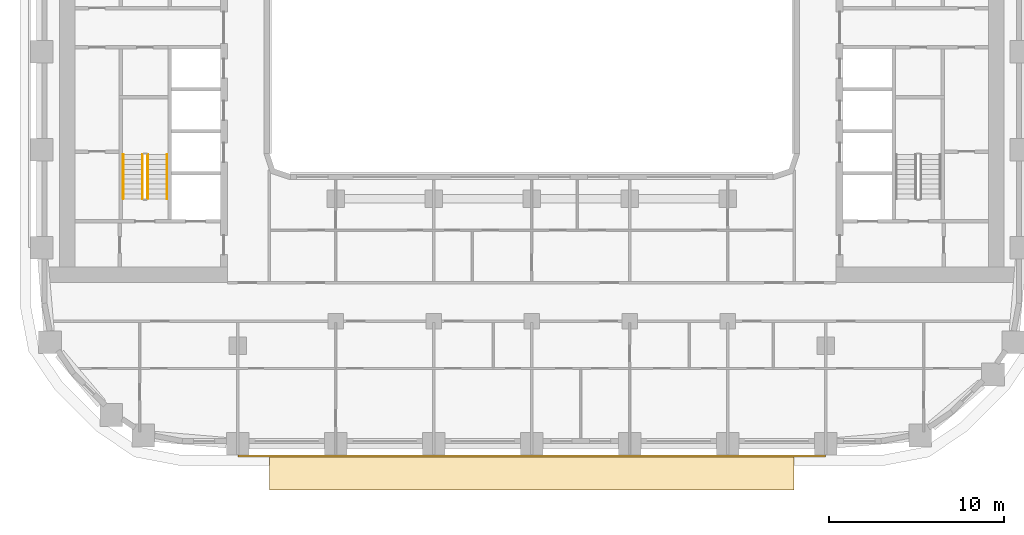
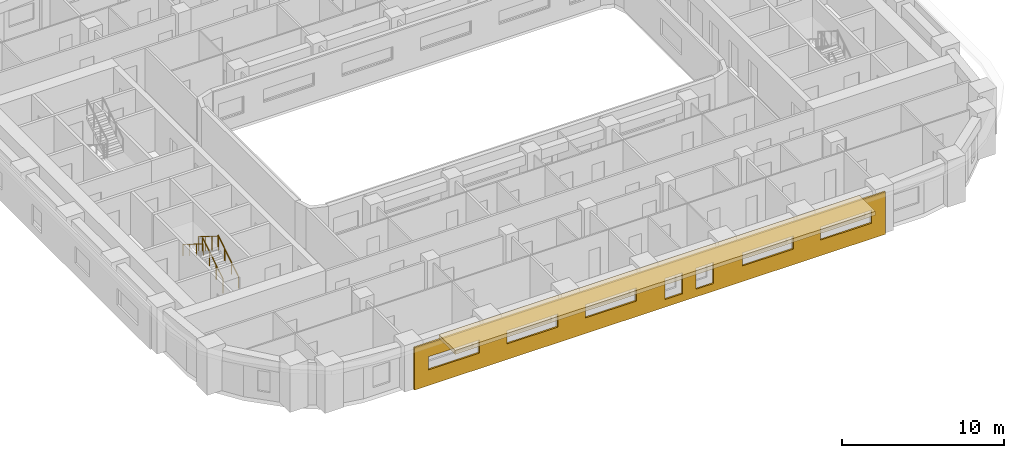
# One storey, part 12 of 21: 4 railings, 2 coverings.
"""IFC4 building model written with IfcOpenShell, lengths in metres."""

from ifc_helpers import new_model, si_unit, direction, frame, origin, origin_2d, place, context, subcontext, project, spatial, polyline, circle, outline, extrude, material, layer, layer_set, type_object, element, save


model = new_model("IFC4")

# Units and contexts
model_context = context("Model", 3, precision=1e-05, world=origin(), true_north=direction((0.0, 1.0)))
body_context = subcontext(model_context, "Body", "Model", "MODEL_VIEW")
ifc_project = project(units=[si_unit("LENGTHUNIT", "METRE"), si_unit("AREAUNIT", "SQUARE_METRE"), si_unit("VOLUMEUNIT", "CUBIC_METRE"), si_unit("PLANEANGLEUNIT", "RADIAN"), si_unit("MASSUNIT", "GRAM", prefix="KILO")], contexts=[model_context])

# Site, building, storey
site_placement = place(None, origin())
site = spatial("IfcSite", under=ifc_project, at=site_placement, CompositionType="ELEMENT")
building_placement = place(site_placement, origin())
building = spatial("IfcBuilding", under=site, at=building_placement, Name="Kiln Ring Residences", CompositionType="ELEMENT")
storey_placement = place(building_placement, frame((0.0, 0.0, 100.800048828125)))
storey = spatial("IfcBuildingStorey", under=building, at=storey_placement, Name="L25", CompositionType="ELEMENT", Elevation=100.800048828125)

# Railings
ifc_material_1 = material(Name="Stainless steel", Category="steel")
railing_type_1 = type_object("IfcRailingType", Name="CORE-STAIR-GUARD", PredefinedType="GUARDRAIL", material=ifc_material_1)
railing_1_placement = place(storey_placement, frame((-21.949951171875, -8.39990234375, 0.175048828125)))
element("IfcRailing", 1, at=railing_1_placement, inside=storey, type_object=railing_type_1, Name="L25 W-STS stair guard 1", PredefinedType="GUARDRAIL", context=body_context, shape_type="SweptSolid", body=[
    extrude(circle(Radius=0.02392578125, at=origin_2d()), frame((0.0, 0.0, 1.076171875), z_axis=(0.0, 0.848007534815, 0.529984170421), x_axis=(-1.0, 0.0, 0.0)), (0.0, 0.0, 1.0), 2.9716796875),
    extrude(circle(Radius=0.02099609375, at=origin_2d()), origin(), (0.0, 0.0, 1.0), 1.052001953125),
    extrude(circle(Radius=0.02099609375, at=origin_2d()), frame((0.0, 0.840087890625, 0.52490234375)), (0.0, 0.0, 1.0), 1.052001953125),
    extrude(circle(Radius=0.02099609375, at=origin_2d()), frame((0.0, 1.679931640625, 1.050048828125)), (0.0, 0.0, 1.0), 1.052001953125),
    extrude(circle(Radius=0.02099609375, at=origin_2d()), frame((0.0, 2.52001953125, 1.574951171875)), (0.0, 0.0, 1.0), 1.052001953125),
])
railing_2_placement = place(storey_placement, frame((-22.25, -5.8798828125, 1.925048828125)))
element("IfcRailing", 2, at=railing_2_placement, inside=storey, type_object=railing_type_1, Name="L25 W-STS stair guard 3", PredefinedType="GUARDRAIL", context=body_context, shape_type="SweptSolid", body=[
    extrude(circle(Radius=0.02392578125, at=origin_2d()), frame((0.0, 0.0, 1.076171875), z_axis=(0.0, -0.848007534815, 0.529984170421), x_axis=(1.0, 0.0, 0.0)), (0.0, 0.0, 1.0), 2.9716796875),
    extrude(circle(Radius=0.02099609375, at=origin_2d()), origin(), (0.0, 0.0, 1.0), 1.052001953125),
    extrude(circle(Radius=0.02099609375, at=origin_2d()), frame((0.0, -0.840087890625, 0.52490234375)), (0.0, 0.0, 1.0), 1.052001953125),
    extrude(circle(Radius=0.02099609375, at=origin_2d()), frame((0.0, -1.679931640625, 1.050048828125)), (0.0, 0.0, 1.0), 1.052001953125),
    extrude(circle(Radius=0.02099609375, at=origin_2d()), frame((0.0, -2.52001953125, 1.574951171875)), (0.0, 0.0, 1.0), 1.052001953125),
])
ifc_material_2 = material(Name="Stainless steel", Category="steel")
railing_type_2 = type_object("IfcRailingType", Name="CORE-STAIR-HANDRAIL", PredefinedType="HANDRAIL", material=ifc_material_2)
railing_3_placement = place(storey_placement, frame((-20.85009765625, -8.39990234375, 0.175048828125)))
element("IfcRailing", 3, at=railing_3_placement, inside=storey, type_object=railing_type_2, Name="L25 W-STS stair handrail 1", PredefinedType="HANDRAIL", context=body_context, shape_type="SweptSolid", body=[
    extrude(circle(Radius=0.02392578125, at=origin_2d()), frame((0.0, 0.0, 0.8759765625), z_axis=(0.0, 0.848007534815, 0.529984170421), x_axis=(-1.0, 0.0, 0.0)), (0.0, 0.0, 1.0), 2.9716796875),
    extrude(circle(Radius=0.02099609375, at=origin_2d()), origin(), (0.0, 0.0, 1.0), 0.851806640625),
    extrude(circle(Radius=0.02099609375, at=origin_2d()), frame((0.0, 0.840087890625, 0.52490234375)), (0.0, 0.0, 1.0), 0.851806640625),
    extrude(circle(Radius=0.02099609375, at=origin_2d()), frame((0.0, 1.679931640625, 1.050048828125)), (0.0, 0.0, 1.0), 0.851806640625),
    extrude(circle(Radius=0.02099609375, at=origin_2d()), frame((0.0, 2.52001953125, 1.574951171875)), (0.0, 0.0, 1.0), 0.851806640625),
])
railing_4_placement = place(storey_placement, frame((-23.35009765625, -5.8798828125, 1.925048828125)))
element("IfcRailing", 4, at=railing_4_placement, inside=storey, type_object=railing_type_2, Name="L25 W-STS stair handrail 2", PredefinedType="HANDRAIL", context=body_context, shape_type="SweptSolid", body=[
    extrude(circle(Radius=0.02392578125, at=origin_2d()), frame((0.0, 0.0, 0.8759765625), z_axis=(0.0, -0.848007534815, 0.529984170421), x_axis=(1.0, 0.0, 0.0)), (0.0, 0.0, 1.0), 2.9716796875),
    extrude(circle(Radius=0.02099609375, at=origin_2d()), origin(), (0.0, 0.0, 1.0), 0.851806640625),
    extrude(circle(Radius=0.02099609375, at=origin_2d()), frame((0.0, -0.840087890625, 0.52490234375)), (0.0, 0.0, 1.0), 0.851806640625),
    extrude(circle(Radius=0.02099609375, at=origin_2d()), frame((0.0, -1.679931640625, 1.050048828125)), (0.0, 0.0, 1.0), 0.851806640625),
    extrude(circle(Radius=0.02099609375, at=origin_2d()), frame((0.0, -2.52001953125, 1.574951171875)), (0.0, 0.0, 1.0), 0.851806640625),
])

# Coverings
ifc_material_3 = material(Name="Brick masonry, dark clay brick", Category="masonry")
ifc_layer_1 = layer(ifc_material_3, 0.1201171875)
ifc_layer_set_1 = layer_set([ifc_layer_1], Name="RAINSCREEN PANEL 120")
covering_type_1 = type_object("IfcCoveringType", Name="RAINSCREEN PANEL 120", PredefinedType="CLADDING", material=ifc_layer_set_1)
covering_1_placement = place(storey_placement, frame((-16.800048828125, -23.110107421875, 0.0), z_axis=(0.0, 0.0, 1.0), x_axis=(1.0, 0.0, 0.0)))
element("IfcCovering", 5, at=covering_1_placement, inside=storey, type_object=covering_type_1, Name="RAINSCREEN L25", PredefinedType="CLADDING", context=body_context, shape_type="SweptSolid", body=[
    extrude(outline(polyline([(0.0, 0.0), (33.60009765625, 0.0), (33.60009765625, 3.199951171875), (0.0, 3.199951171875), (0.0, 0.0)]), holes=[polyline([(19.107421875, 0.579833984375), (19.107421875, 2.169921875), (17.867431640625, 2.169921875), (17.867431640625, 0.579833984375), (19.107421875, 0.579833984375)]), polyline([(20.092529296875, 0.579833984375), (21.33251953125, 0.579833984375), (21.33251953125, 2.169921875), (20.092529296875, 2.169921875), (20.092529296875, 0.579833984375)]), polyline([(0.97998046875, 1.179931640625), (4.6201171875, 1.179931640625), (4.6201171875, 2.169921875), (0.97998046875, 2.169921875), (0.97998046875, 1.179931640625)]), polyline([(6.580078125, 1.179931640625), (10.219970703125, 1.179931640625), (10.219970703125, 2.169921875), (6.580078125, 2.169921875), (6.580078125, 1.179931640625)]), polyline([(12.179931640625, 1.179931640625), (15.820068359375, 1.179931640625), (15.820068359375, 2.169921875), (12.179931640625, 2.169921875), (12.179931640625, 1.179931640625)]), polyline([(23.3798828125, 1.179931640625), (27.02001953125, 1.179931640625), (27.02001953125, 2.169921875), (23.3798828125, 2.169921875), (23.3798828125, 1.179931640625)]), polyline([(28.97998046875, 1.179931640625), (32.6201171875, 1.179931640625), (32.6201171875, 2.169921875), (28.97998046875, 2.169921875), (28.97998046875, 1.179931640625)])]), frame((0.0, 0.06005859375, 0.0), z_axis=(0.0, -1.0, 0.0), x_axis=(1.0, 0.0, 0.0)), (0.0, 0.0, 1.0), 0.1201171875),
])
ifc_material_4 = material(Name="Black powder-coated steel", Category="steel")
ifc_layer_2 = layer(ifc_material_4, 0.300048828125)
ifc_layer_set_2 = layer_set([ifc_layer_2], Name="SUNSHADE BAND 2000")
covering_type_2 = type_object("IfcCoveringType", Name="SUNSHADE BAND 2000", PredefinedType="CLADDING", material=ifc_layer_set_2)
covering_2_placement = place(storey_placement, frame((0.0, 0.0, 3.199951171875)))
element("IfcCovering", 6, at=covering_2_placement, inside=storey, type_object=covering_type_2, Name="SUNSHADE BAND L25", PredefinedType="CLADDING", context=body_context, shape_type="SweptSolid", body=[
    extrude(outline(polyline([(-15.0, -25.050048828125), (15.0, -25.050048828125), (15.0, -23.050048828125), (-15.0, -23.050048828125), (-15.0, -25.050048828125)])), origin(), (0.0, 0.0, 1.0), 0.300048828125),
])

save(model, "model.ifc")
